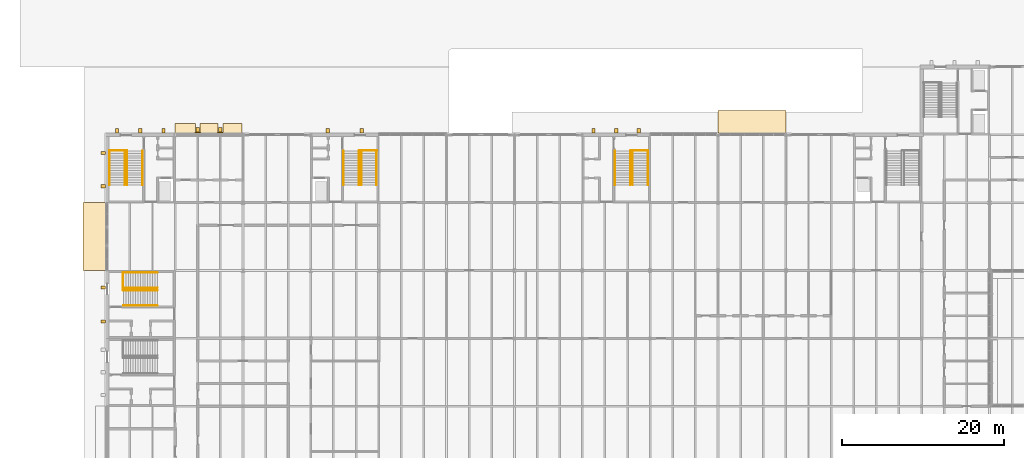
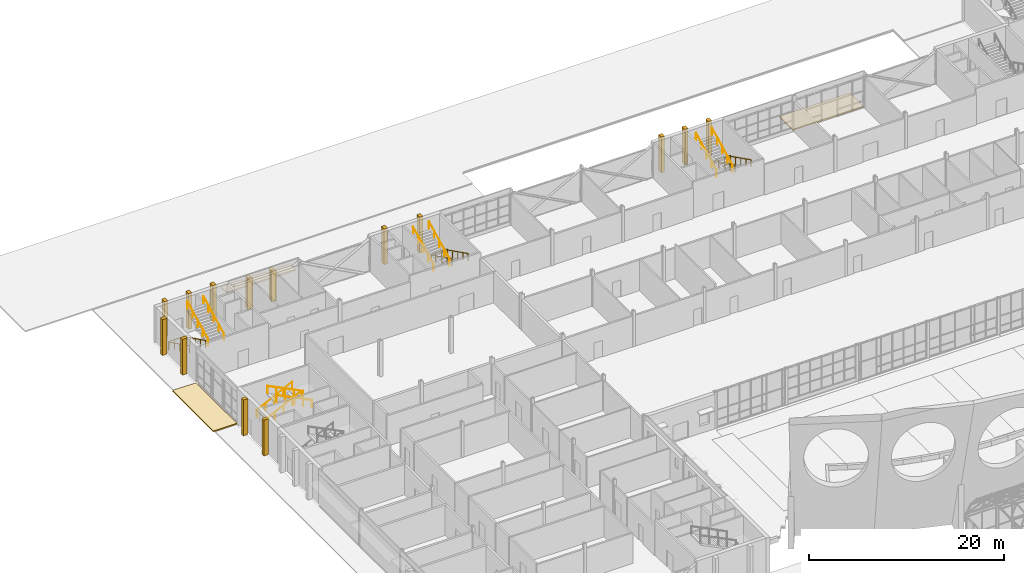
# One storey, part 113 of 116: 21 coverings, 20 railings.
"""IFC4 building model written with IfcOpenShell, lengths in metres."""

from ifc_helpers import new_model, si_unit, direction, frame, origin, origin_2d, place, context, subcontext, project, spatial, polyline, rectangle, circle, outline, extrude, material, layer, layer_set, type_object, element, save


model = new_model("IFC4")

# Units and contexts
model_context = context("Model", 3, precision=1e-05, world=origin(), true_north=direction((0.0, 1.0)))
body_context = subcontext(model_context, "Body", "Model", "MODEL_VIEW")
ifc_project = project(units=[si_unit("LENGTHUNIT", "METRE"), si_unit("AREAUNIT", "SQUARE_METRE"), si_unit("VOLUMEUNIT", "CUBIC_METRE"), si_unit("PLANEANGLEUNIT", "RADIAN"), si_unit("MASSUNIT", "GRAM", prefix="KILO")], contexts=[model_context])

# Site, building, storey
site_placement = place(None, origin())
site = spatial("IfcSite", under=ifc_project, at=site_placement, CompositionType="ELEMENT")
building_placement = place(site_placement, origin())
building = spatial("IfcBuilding", under=site, at=building_placement, Name="Ardhachandra Cancer Care Centre", CompositionType="ELEMENT")
storey_placement = place(building_placement, origin())
storey = spatial("IfcBuildingStorey", under=building, at=storey_placement, Name="L00", CompositionType="ELEMENT", Elevation=0.0)

# Coverings
ifc_material_1 = material(Name="Brick masonry (clay brick, cement mortar) pier cladding", Category="masonry")
ifc_layer_1 = layer(ifc_material_1, 0.1201171875)
ifc_layer_set_1 = layer_set([ifc_layer_1], Name="Brick masonry (clay brick, cement mortar) pier cladding")
covering_type_1 = type_object("IfcCoveringType", Name="Brick pier cladding 600 x 120", PredefinedType="CLADDING", material=ifc_layer_set_1)
for number, where, z_axis, x_axis, name in (
    (1, (22.0, 96.885009765625, 0.0), (0.0, 0.0, 1.0), (1.0, 0.0, 0.0), "Pier cladding L00 L00/n/0019200_0096600"),
    (2, (24.800048828125, 96.885009765625, 0.0), (0.0, 0.0, 1.0), (1.0, 0.0, 0.0), "Pier cladding L00 L00/n/0019200_0096600"),
):
    element("IfcCovering", number, at=place(storey_placement, frame(where, z_axis=z_axis, x_axis=x_axis)), inside=storey, type_object=covering_type_1, Name=name, PredefinedType="CLADDING", context=body_context, shape_type="SweptSolid", body=[
        extrude(rectangle(XDim=0.60009765625, YDim=0.1201171875, at=origin_2d()), origin(), (0.0, 0.0, 1.0), 3.85009765625),
    ])

# Railings
ifc_material_2 = material(Name="Steel E250 (IS 2062)", Category="steel")
railing_type_1 = type_object("IfcRailingType", Name="Guard 1100", PredefinedType="GUARDRAIL", material=ifc_material_2)
railing_1_placement = place(storey_placement, frame((11.054931640625, 94.659912109375, 0.0)))
element("IfcRailing", 3, at=railing_1_placement, inside=storey, type_object=railing_type_1, Name="Stair well guard K4 L00", PredefinedType="GUARDRAIL", context=body_context, shape_type="SweptSolid", body=[
    extrude(circle(Radius=0.02392578125, at=origin_2d()), frame((0.0, 0.0, 1.076171875), z_axis=(1.0, 0.0, 0.0), x_axis=(0.0, 1.0, 0.0)), (0.0, 0.0, 1.0), 2.170166015625),
    extrude(circle(Radius=0.02099609375, at=origin_2d()), origin(), (0.0, 0.0, 1.0), 1.052001953125),
    extrude(circle(Radius=0.02099609375, at=origin_2d()), frame((0.723388671875, 0.0, 0.0)), (0.0, 0.0, 1.0), 1.052001953125),
    extrude(circle(Radius=0.02099609375, at=origin_2d()), frame((1.44677734375, 0.0, 0.0)), (0.0, 0.0, 1.0), 1.052001953125),
    extrude(circle(Radius=0.02099609375, at=origin_2d()), frame((2.170166015625, 0.0, 0.0)), (0.0, 0.0, 1.0), 1.052001953125),
])
railing_2_placement = place(storey_placement, frame((44.169921875, 94.659912109375, 0.0)))
element("IfcRailing", 4, at=railing_2_placement, inside=storey, type_object=railing_type_1, Name="Stair well guard K5 L00", PredefinedType="GUARDRAIL", context=body_context, shape_type="SweptSolid", body=[
    extrude(circle(Radius=0.02392578125, at=origin_2d()), frame((0.0, 0.0, 1.076171875), z_axis=(-1.0, 0.0, 0.0), x_axis=(0.0, -1.0, 0.0)), (0.0, 0.0, 1.0), 2.169921875),
    extrude(circle(Radius=0.02099609375, at=origin_2d()), origin(), (0.0, 0.0, 1.0), 1.052001953125),
    extrude(circle(Radius=0.02099609375, at=origin_2d()), frame((-0.723388671875, 0.0, 0.0)), (0.0, 0.0, 1.0), 1.052001953125),
    extrude(circle(Radius=0.02099609375, at=origin_2d()), frame((-1.446533203125, 0.0, 0.0)), (0.0, 0.0, 1.0), 1.052001953125),
    extrude(circle(Radius=0.02099609375, at=origin_2d()), frame((-2.169921875, 0.0, 0.0)), (0.0, 0.0, 1.0), 1.052001953125),
])
railing_3_placement = place(storey_placement, frame((12.739990234375, 79.570068359375, 0.0)))
element("IfcRailing", 5, at=railing_3_placement, inside=storey, type_object=railing_type_1, Name="Stair well guard K6 L00", PredefinedType="GUARDRAIL", context=body_context, shape_type="SweptSolid", body=[
    extrude(circle(Radius=0.02392578125, at=origin_2d()), frame((0.0, 0.0, 1.076171875), z_axis=(0.0, -1.0, 0.0), x_axis=(1.0, 0.0, 0.0)), (0.0, 0.0, 1.0), 2.170166015625),
    extrude(circle(Radius=0.02099609375, at=origin_2d()), origin(), (0.0, 0.0, 1.0), 1.052001953125),
    extrude(circle(Radius=0.02099609375, at=origin_2d()), frame((0.0, -0.723388671875, 0.0)), (0.0, 0.0, 1.0), 1.052001953125),
    extrude(circle(Radius=0.02099609375, at=origin_2d()), frame((0.0, -1.44677734375, 0.0)), (0.0, 0.0, 1.0), 1.052001953125),
    extrude(circle(Radius=0.02099609375, at=origin_2d()), frame((0.0, -2.170166015625, 0.0)), (0.0, 0.0, 1.0), 1.052001953125),
])
railing_4_placement = place(storey_placement, frame((77.77001953125, 94.659912109375, 0.0)))
element("IfcRailing", 6, at=railing_4_placement, inside=storey, type_object=railing_type_1, Name="Stair well guard K8 L00", PredefinedType="GUARDRAIL", context=body_context, shape_type="SweptSolid", body=[
    extrude(circle(Radius=0.02392578125, at=origin_2d()), frame((0.0, 0.0, 1.076171875), z_axis=(-1.0, 0.0, 0.0), x_axis=(0.0, -1.0, 0.0)), (0.0, 0.0, 1.0), 2.169921875),
    extrude(circle(Radius=0.02099609375, at=origin_2d()), origin(), (0.0, 0.0, 1.0), 1.052001953125),
    extrude(circle(Radius=0.02099609375, at=origin_2d()), frame((-0.723388671875, 0.0, 0.0)), (0.0, 0.0, 1.0), 1.052001953125),
    extrude(circle(Radius=0.02099609375, at=origin_2d()), frame((-1.446533203125, 0.0, 0.0)), (0.0, 0.0, 1.0), 1.052001953125),
    extrude(circle(Radius=0.02099609375, at=origin_2d()), frame((-2.169921875, 0.0, 0.0)), (0.0, 0.0, 1.0), 1.052001953125),
])

# Coverings
ifc_material_3 = material(Name="Interlocking concrete paver on compacted sub-base", Category="concrete")
ifc_layer_2 = layer(ifc_material_3, 0.14990234375)
ifc_layer_set_2 = layer_set([ifc_layer_2], Name="Interlocking concrete paver on compacted sub-base")
covering_type_2 = type_object("IfcCoveringType", Name="Paver paving 150", PredefinedType="USERDEFINED", material=ifc_layer_set_2)
covering_1_placement = place(storey_placement, frame((0.0, 0.0, -0.14990234375)))
element("IfcCovering", 7, at=covering_1_placement, inside=storey, type_object=covering_type_2, Name="Entrance apron E3 1", ObjectType="PAVING", PredefinedType="USERDEFINED", context=body_context, shape_type="SweptSolid", body=[
    extrude(outline(polyline([(10.574951171875, 79.800048828125), (10.574951171875, 88.199951171875), (7.800048828125, 88.199951171875), (7.800048828125, 79.800048828125), (10.574951171875, 79.800048828125)])), origin(), (0.0, 0.0, 1.0), 0.14990234375),
])
covering_2_placement = place(storey_placement, frame((0.0, 0.0, -0.14990234375)))
element("IfcCovering", 8, at=covering_2_placement, inside=storey, type_object=covering_type_2, Name="Entrance apron E5 1", ObjectType="PAVING", PredefinedType="USERDEFINED", context=body_context, shape_type="SweptSolid", body=[
    extrude(outline(polyline([(94.800048828125, 96.824951171875), (94.800048828125, 99.60009765625), (86.39990234375, 99.60009765625), (86.39990234375, 96.824951171875), (94.800048828125, 96.824951171875)])), origin(), (0.0, 0.0, 1.0), 0.14990234375),
])
ifc_material_4 = material(Name="Precast Concrete M25", Category="concrete")
ifc_layer_3 = layer(ifc_material_4, 0.39990234375)
ifc_layer_set_3 = layer_set([ifc_layer_3], Name="Precast Concrete M25")
covering_type_3 = type_object("IfcCoveringType", Name="Precast concrete fin 400 x 550", PredefinedType="CLADDING", material=ifc_layer_set_3)
for number, where, z_axis, x_axis, name in (
    (9, (22.0, 97.219970703125, 0.0), (0.0, 0.0, 1.0), (1.0, 0.0, 0.0), "Fin L00 L00/n/0019200_0096600"),
    (10, (24.800048828125, 97.219970703125, 0.0), (0.0, 0.0, 1.0), (1.0, 0.0, 0.0), "Fin L00 L00/n/0019200_0096600"),
):
    element("IfcCovering", number, at=place(storey_placement, frame(where, z_axis=z_axis, x_axis=x_axis)), inside=storey, type_object=covering_type_3, Name=name, PredefinedType="CLADDING", context=body_context, shape_type="SweptSolid", body=[
        extrude(rectangle(XDim=0.39990234375, YDim=0.550048828125, at=origin_2d()), origin(), (0.0, 0.0, 1.0), 3.85009765625),
    ])
for number, where, z_axis, x_axis, name in (
    (11, (12.012451171875, 97.10009765625, 0.0), (0.0, 0.0, 1.0), (1.0, 0.0, 0.0), "Fin L00 core K4 1"),
    (12, (14.887451171875, 97.10009765625, 0.0), (0.0, 0.0, 1.0), (1.0, 0.0, 0.0), "Fin L00 core K4 2"),
    (13, (17.762451171875, 97.10009765625, 0.0), (0.0, 0.0, 1.0), (1.0, 0.0, 0.0), "Fin L00 core K4 3"),
    (14, (10.300048828125, 90.24365234375, 0.0), (0.0, 0.0, 1.0), (0.0, 1.0, 0.0), "Fin L00 core K4 1"),
    (15, (10.300048828125, 94.331298828125, 0.0), (0.0, 0.0, 1.0), (0.0, 1.0, 0.0), "Fin L00 core K4 2"),
    (16, (38.10009765625, 97.10009765625, 0.0), (0.0, 0.0, 1.0), (1.0, 0.0, 0.0), "Fin L00 core K5 1"),
    (17, (42.300048828125, 97.10009765625, 0.0), (0.0, 0.0, 1.0), (1.0, 0.0, 0.0), "Fin L00 core K5 2"),
    (18, (10.300048828125, 73.5, 0.0), (0.0, 0.0, 1.0), (0.0, 1.0, 0.0), "Fin L00 core K6 1"),
    (19, (10.300048828125, 77.699951171875, 0.0), (0.0, 0.0, 1.0), (0.0, 1.0, 0.0), "Fin L00 core K6 2"),
    (20, (71.0, 97.10009765625, 0.0), (0.0, 0.0, 1.0), (1.0, 0.0, 0.0), "Fin L00 core K8 1"),
    (21, (73.800048828125, 97.10009765625, 0.0), (0.0, 0.0, 1.0), (1.0, 0.0, 0.0), "Fin L00 core K8 2"),
    (22, (76.60009765625, 97.10009765625, 0.0), (0.0, 0.0, 1.0), (1.0, 0.0, 0.0), "Fin L00 core K8 3"),
):
    element("IfcCovering", number, at=place(storey_placement, frame(where, z_axis=z_axis, x_axis=x_axis)), inside=storey, type_object=covering_type_3, Name=name, PredefinedType="CLADDING", context=body_context, shape_type="SweptSolid", body=[
        extrude(rectangle(XDim=0.39990234375, YDim=0.550048828125, at=origin_2d()), origin(), (0.0, 0.0, 1.0), 4.5),
    ])
ifc_material_5 = material(Name="Precast Concrete M25", Category="concrete")
ifc_layer_4 = layer(ifc_material_5, 0.14990234375)
ifc_layer_set_4 = layer_set([ifc_layer_4], Name="Precast Concrete M25")
covering_type_4 = type_object("IfcCoveringType", Name="Precast sunshade band 1200 x 150", PredefinedType="CLADDING", material=ifc_layer_set_4)
covering_3_placement = place(storey_placement, frame((20.449951171875, 97.425048828125, 2.949951171875), z_axis=(0.0, 0.0, 1.0), x_axis=(1.0, 0.0, 0.0)))
element("IfcCovering", 23, at=covering_3_placement, inside=storey, type_object=covering_type_4, Name="Sunshade band L00 L00/n/0019200_0096600 1", PredefinedType="CLADDING", context=body_context, shape_type="SweptSolid", body=[
    extrude(rectangle(XDim=2.5, YDim=1.199951171875, at=origin_2d()), origin(), (0.0, 0.0, 1.0), 0.14990234375),
])
covering_4_placement = place(storey_placement, frame((23.39990234375, 97.425048828125, 2.949951171875), z_axis=(0.0, 0.0, 1.0), x_axis=(1.0, 0.0, 0.0)))
element("IfcCovering", 24, at=covering_4_placement, inside=storey, type_object=covering_type_4, Name="Sunshade band L00 L00/n/0019200_0096600 2", PredefinedType="CLADDING", context=body_context, shape_type="SweptSolid", body=[
    extrude(rectangle(XDim=2.199951171875, YDim=1.199951171875, at=origin_2d()), origin(), (0.0, 0.0, 1.0), 0.14990234375),
])
covering_5_placement = place(storey_placement, frame((26.27490234375, 97.425048828125, 2.949951171875), z_axis=(0.0, 0.0, 1.0), x_axis=(1.0, 0.0, 0.0)))
element("IfcCovering", 25, at=covering_5_placement, inside=storey, type_object=covering_type_4, Name="Sunshade band L00 L00/n/0019200_0096600 3", PredefinedType="CLADDING", context=body_context, shape_type="SweptSolid", body=[
    extrude(rectangle(XDim=2.35009765625, YDim=1.199951171875, at=origin_2d()), origin(), (0.0, 0.0, 1.0), 0.14990234375),
])

# Railings
ifc_material_6 = material(Name="Steel E250 (IS 2062)", Category="steel")
railing_type_2 = type_object("IfcRailingType", Name="Stair handrail 900", PredefinedType="HANDRAIL", material=ifc_material_6)
for number, where, name in (
    (26, (11.0849609375, 94.60009765625, 0.14990234375), "Handrail K4 L00-L01 flight 1 wall side"),
    (27, (12.97509765625, 94.60009765625, 0.14990234375), "Handrail K4 L00-L01 flight 1 well side"),
):
    element("IfcRailing", number, at=place(storey_placement, frame(where)), inside=storey, type_object=railing_type_2, Name=name, PredefinedType="HANDRAIL", context=body_context, shape_type="SweptSolid", body=[
        extrude(circle(Radius=0.02392578125, at=origin_2d()), frame((0.0, 0.0, 0.8759765625), z_axis=(0.0, -0.894427191, 0.4472135955), x_axis=(1.0, 0.0, 0.0)), (0.0, 0.0, 1.0), 4.696044921875),
        extrude(circle(Radius=0.02099609375, at=origin_2d()), origin(), (0.0, 0.0, 1.0), 0.851806640625),
        extrude(circle(Radius=0.02099609375, at=origin_2d()), frame((0.0, -1.050048828125, 0.52490234375)), (0.0, 0.0, 1.0), 0.851806640625),
        extrude(circle(Radius=0.02099609375, at=origin_2d()), frame((0.0, -2.10009765625, 1.050048828125)), (0.0, 0.0, 1.0), 0.851806640625),
        extrude(circle(Radius=0.02099609375, at=origin_2d()), frame((0.0, -3.150146484375, 1.5751953125)), (0.0, 0.0, 1.0), 0.851806640625),
        extrude(circle(Radius=0.02099609375, at=origin_2d()), frame((0.0, -4.2001953125, 2.10009765625)), (0.0, 0.0, 1.0), 0.851806640625),
    ])
for number, where, name in (
    (28, (13.27490234375, 90.39990234375, 2.39990234375), "Handrail K4 L00-L01 flight 2 well side"),
    (29, (15.1650390625, 90.39990234375, 2.39990234375), "Handrail K4 L00-L01 flight 2 wall side"),
):
    element("IfcRailing", number, at=place(storey_placement, frame(where)), inside=storey, type_object=railing_type_2, Name=name, PredefinedType="HANDRAIL", context=body_context, shape_type="SweptSolid", body=[
        extrude(circle(Radius=0.02392578125, at=origin_2d()), frame((0.0, 0.0, 0.8759765625), z_axis=(0.0, 0.894427191, 0.4472135955), x_axis=(-1.0, 0.0, 0.0)), (0.0, 0.0, 1.0), 4.696044921875),
        extrude(circle(Radius=0.02099609375, at=origin_2d()), origin(), (0.0, 0.0, 1.0), 0.851806640625),
        extrude(circle(Radius=0.02099609375, at=origin_2d()), frame((0.0, 1.050048828125, 0.52490234375)), (0.0, 0.0, 1.0), 0.851806640625),
        extrude(circle(Radius=0.02099609375, at=origin_2d()), frame((0.0, 2.10009765625, 1.050048828125)), (0.0, 0.0, 1.0), 0.851806640625),
        extrude(circle(Radius=0.02099609375, at=origin_2d()), frame((0.0, 3.150146484375, 1.5751953125)), (0.0, 0.0, 1.0), 0.851806640625),
        extrude(circle(Radius=0.02099609375, at=origin_2d()), frame((0.0, 4.2001953125, 2.10009765625)), (0.0, 0.0, 1.0), 0.851806640625),
    ])
for number, where, name in (
    (30, (44.139892578125, 94.60009765625, 0.14990234375), "Handrail K5 L00-L01 flight 1 wall side"),
    (31, (42.25, 94.60009765625, 0.14990234375), "Handrail K5 L00-L01 flight 1 well side"),
):
    element("IfcRailing", number, at=place(storey_placement, frame(where)), inside=storey, type_object=railing_type_2, Name=name, PredefinedType="HANDRAIL", context=body_context, shape_type="SweptSolid", body=[
        extrude(circle(Radius=0.02392578125, at=origin_2d()), frame((0.0, 0.0, 0.8759765625), z_axis=(0.0, -0.894427191, 0.4472135955), x_axis=(1.0, 0.0, 0.0)), (0.0, 0.0, 1.0), 4.696044921875),
        extrude(circle(Radius=0.02099609375, at=origin_2d()), origin(), (0.0, 0.0, 1.0), 0.851806640625),
        extrude(circle(Radius=0.02099609375, at=origin_2d()), frame((0.0, -1.050048828125, 0.52490234375)), (0.0, 0.0, 1.0), 0.851806640625),
        extrude(circle(Radius=0.02099609375, at=origin_2d()), frame((0.0, -2.10009765625, 1.050048828125)), (0.0, 0.0, 1.0), 0.851806640625),
        extrude(circle(Radius=0.02099609375, at=origin_2d()), frame((0.0, -3.150146484375, 1.5751953125)), (0.0, 0.0, 1.0), 0.851806640625),
        extrude(circle(Radius=0.02099609375, at=origin_2d()), frame((0.0, -4.2001953125, 2.10009765625)), (0.0, 0.0, 1.0), 0.851806640625),
    ])
for number, where, name in (
    (32, (41.949951171875, 90.39990234375, 2.39990234375), "Handrail K5 L00-L01 flight 2 well side"),
    (33, (40.06005859375, 90.39990234375, 2.39990234375), "Handrail K5 L00-L01 flight 2 wall side"),
):
    element("IfcRailing", number, at=place(storey_placement, frame(where)), inside=storey, type_object=railing_type_2, Name=name, PredefinedType="HANDRAIL", context=body_context, shape_type="SweptSolid", body=[
        extrude(circle(Radius=0.02392578125, at=origin_2d()), frame((0.0, 0.0, 0.8759765625), z_axis=(0.0, 0.894427191, 0.4472135955), x_axis=(-1.0, 0.0, 0.0)), (0.0, 0.0, 1.0), 4.696044921875),
        extrude(circle(Radius=0.02099609375, at=origin_2d()), origin(), (0.0, 0.0, 1.0), 0.851806640625),
        extrude(circle(Radius=0.02099609375, at=origin_2d()), frame((0.0, 1.050048828125, 0.52490234375)), (0.0, 0.0, 1.0), 0.851806640625),
        extrude(circle(Radius=0.02099609375, at=origin_2d()), frame((0.0, 2.10009765625, 1.050048828125)), (0.0, 0.0, 1.0), 0.851806640625),
        extrude(circle(Radius=0.02099609375, at=origin_2d()), frame((0.0, 3.150146484375, 1.5751953125)), (0.0, 0.0, 1.0), 0.851806640625),
        extrude(circle(Radius=0.02099609375, at=origin_2d()), frame((0.0, 4.2001953125, 2.10009765625)), (0.0, 0.0, 1.0), 0.851806640625),
    ])
for number, where, name in (
    (34, (12.800048828125, 79.5400390625, 0.14990234375), "Handrail K6 L00-L01 flight 1 wall side"),
    (35, (12.800048828125, 77.64990234375, 0.14990234375), "Handrail K6 L00-L01 flight 1 well side"),
):
    element("IfcRailing", number, at=place(storey_placement, frame(where)), inside=storey, type_object=railing_type_2, Name=name, PredefinedType="HANDRAIL", context=body_context, shape_type="SweptSolid", body=[
        extrude(circle(Radius=0.02392578125, at=origin_2d()), frame((0.0, 0.0, 0.8759765625), z_axis=(0.894416792377, 0.0, 0.447234392142), x_axis=(0.0, 1.0, 0.0)), (0.0, 0.0, 1.0), 4.69580078125),
        extrude(circle(Radius=0.02099609375, at=origin_2d()), origin(), (0.0, 0.0, 1.0), 0.851806640625),
        extrude(circle(Radius=0.02099609375, at=origin_2d()), frame((1.050048828125, 0.0, 0.52490234375)), (0.0, 0.0, 1.0), 0.851806640625),
        extrude(circle(Radius=0.02099609375, at=origin_2d()), frame((2.10009765625, 0.0, 1.050048828125)), (0.0, 0.0, 1.0), 0.851806640625),
        extrude(circle(Radius=0.02099609375, at=origin_2d()), frame((3.14990234375, 0.0, 1.5751953125)), (0.0, 0.0, 1.0), 0.851806640625),
        extrude(circle(Radius=0.02099609375, at=origin_2d()), frame((4.199951171875, 0.0, 2.10009765625)), (0.0, 0.0, 1.0), 0.851806640625),
    ])
for number, where, name in (
    (36, (17.0, 77.35009765625, 2.39990234375), "Handrail K6 L00-L01 flight 2 well side"),
    (37, (17.0, 75.4599609375, 2.39990234375), "Handrail K6 L00-L01 flight 2 wall side"),
):
    element("IfcRailing", number, at=place(storey_placement, frame(where)), inside=storey, type_object=railing_type_2, Name=name, PredefinedType="HANDRAIL", context=body_context, shape_type="SweptSolid", body=[
        extrude(circle(Radius=0.02392578125, at=origin_2d()), frame((0.0, 0.0, 0.8759765625), z_axis=(-0.894416792377, 0.0, 0.447234392142), x_axis=(0.0, -1.0, 0.0)), (0.0, 0.0, 1.0), 4.69580078125),
        extrude(circle(Radius=0.02099609375, at=origin_2d()), origin(), (0.0, 0.0, 1.0), 0.851806640625),
        extrude(circle(Radius=0.02099609375, at=origin_2d()), frame((-1.050048828125, 0.0, 0.52490234375)), (0.0, 0.0, 1.0), 0.851806640625),
        extrude(circle(Radius=0.02099609375, at=origin_2d()), frame((-2.10009765625, 0.0, 1.050048828125)), (0.0, 0.0, 1.0), 0.851806640625),
        extrude(circle(Radius=0.02099609375, at=origin_2d()), frame((-3.14990234375, 0.0, 1.5751953125)), (0.0, 0.0, 1.0), 0.851806640625),
        extrude(circle(Radius=0.02099609375, at=origin_2d()), frame((-4.199951171875, 0.0, 2.10009765625)), (0.0, 0.0, 1.0), 0.851806640625),
    ])
for number, where, name in (
    (38, (77.739990234375, 94.60009765625, 0.14990234375), "Handrail K8 L00-L01 flight 1 wall side"),
    (39, (75.85009765625, 94.60009765625, 0.14990234375), "Handrail K8 L00-L01 flight 1 well side"),
):
    element("IfcRailing", number, at=place(storey_placement, frame(where)), inside=storey, type_object=railing_type_2, Name=name, PredefinedType="HANDRAIL", context=body_context, shape_type="SweptSolid", body=[
        extrude(circle(Radius=0.02392578125, at=origin_2d()), frame((0.0, 0.0, 0.8759765625), z_axis=(0.0, -0.894427191, 0.4472135955), x_axis=(1.0, 0.0, 0.0)), (0.0, 0.0, 1.0), 4.696044921875),
        extrude(circle(Radius=0.02099609375, at=origin_2d()), origin(), (0.0, 0.0, 1.0), 0.851806640625),
        extrude(circle(Radius=0.02099609375, at=origin_2d()), frame((0.0, -1.050048828125, 0.52490234375)), (0.0, 0.0, 1.0), 0.851806640625),
        extrude(circle(Radius=0.02099609375, at=origin_2d()), frame((0.0, -2.10009765625, 1.050048828125)), (0.0, 0.0, 1.0), 0.851806640625),
        extrude(circle(Radius=0.02099609375, at=origin_2d()), frame((0.0, -3.150146484375, 1.5751953125)), (0.0, 0.0, 1.0), 0.851806640625),
        extrude(circle(Radius=0.02099609375, at=origin_2d()), frame((0.0, -4.2001953125, 2.10009765625)), (0.0, 0.0, 1.0), 0.851806640625),
    ])
for number, where, name in (
    (40, (75.550048828125, 90.39990234375, 2.39990234375), "Handrail K8 L00-L01 flight 2 well side"),
    (41, (73.659912109375, 90.39990234375, 2.39990234375), "Handrail K8 L00-L01 flight 2 wall side"),
):
    element("IfcRailing", number, at=place(storey_placement, frame(where)), inside=storey, type_object=railing_type_2, Name=name, PredefinedType="HANDRAIL", context=body_context, shape_type="SweptSolid", body=[
        extrude(circle(Radius=0.02392578125, at=origin_2d()), frame((0.0, 0.0, 0.8759765625), z_axis=(0.0, 0.894427191, 0.4472135955), x_axis=(-1.0, 0.0, 0.0)), (0.0, 0.0, 1.0), 4.696044921875),
        extrude(circle(Radius=0.02099609375, at=origin_2d()), origin(), (0.0, 0.0, 1.0), 0.851806640625),
        extrude(circle(Radius=0.02099609375, at=origin_2d()), frame((0.0, 1.050048828125, 0.52490234375)), (0.0, 0.0, 1.0), 0.851806640625),
        extrude(circle(Radius=0.02099609375, at=origin_2d()), frame((0.0, 2.10009765625, 1.050048828125)), (0.0, 0.0, 1.0), 0.851806640625),
        extrude(circle(Radius=0.02099609375, at=origin_2d()), frame((0.0, 3.150146484375, 1.5751953125)), (0.0, 0.0, 1.0), 0.851806640625),
        extrude(circle(Radius=0.02099609375, at=origin_2d()), frame((0.0, 4.2001953125, 2.10009765625)), (0.0, 0.0, 1.0), 0.851806640625),
    ])

save(model, "model.ifc")
